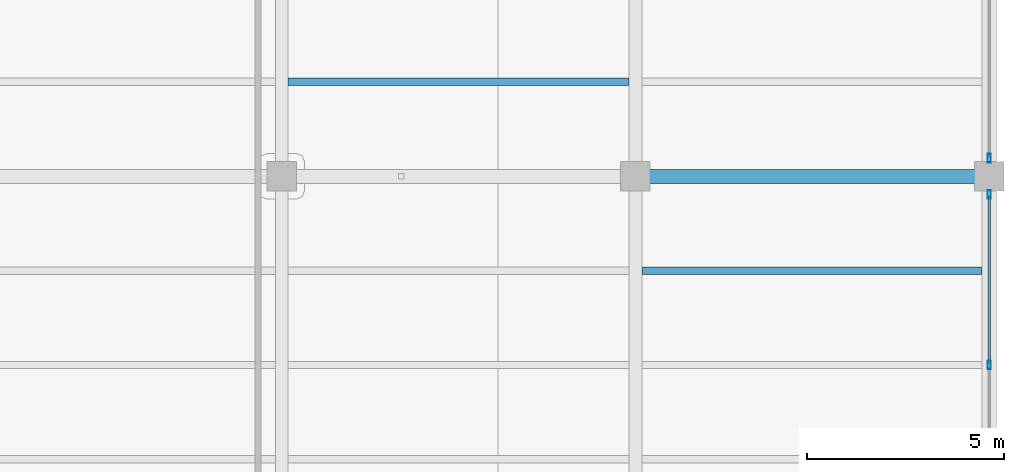
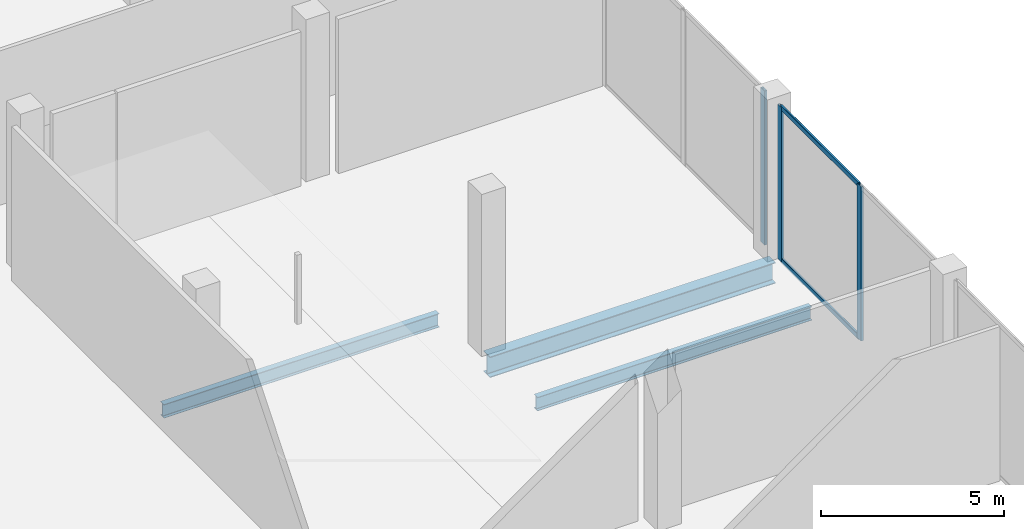
# One storey, part 18 of 47: 5 members, 3 beams, 2 elements without a shape of their own.
"""IFC4 building model written with IfcOpenShell, lengths in metres."""

from ifc_helpers import new_model, si_unit, direction, frame, origin, origin_2d, place, context, subcontext, project, spatial, hollow_rectangle, i_section, extrude, material, layer, layer_set, material_profile, profile_set, type_object, element, aggregate, save


model = new_model("IFC4")

# Units and contexts
model_context = context("Model", 3, precision=1e-05, world=origin(), true_north=direction((0.0, 1.0)))
body_context = subcontext(model_context, "Body", "Model", "MODEL_VIEW")
ifc_project = project(units=[si_unit("LENGTHUNIT", "METRE"), si_unit("AREAUNIT", "SQUARE_METRE"), si_unit("VOLUMEUNIT", "CUBIC_METRE"), si_unit("PLANEANGLEUNIT", "RADIAN"), si_unit("MASSUNIT", "GRAM", prefix="KILO")], contexts=[model_context])

# Site, building, storey
site_placement = place(None, origin())
site = spatial("IfcSite", under=ifc_project, at=site_placement, CompositionType="ELEMENT")
building_placement = place(site_placement, origin())
building = spatial("IfcBuilding", under=site, at=building_placement, Name="Qorvath Tower", CompositionType="ELEMENT")
storey_placement = place(building_placement, frame((0.0, 0.0, 6.60009765625)))
storey = spatial("IfcBuildingStorey", under=building, at=storey_placement, Name="L01", CompositionType="ELEMENT", Elevation=6.60009765625)

# Beams
ifc_material_1 = material(Name="Steel ASTM A992 Grade 50", Category="steel")
ifc_material_profile_1 = material_profile(ifc_material_1, i_section(OverallWidth=0.35595703125, OverallDepth=0.696044921875, WebThickness=0.015380859375, FlangeThickness=0.02490234375, FilletRadius=0.01806640625, at=origin_2d()), Name="W27x146")
ifc_profile_set_1 = profile_set([ifc_material_profile_1], Name="Steel ASTM A992 Grade 50")
beam_type_1 = type_object("IfcBeamType", Name="BM-FG4", PredefinedType="BEAM", material=ifc_profile_set_1)
beam_1_placement = place(storey_placement, frame((68.39990234375, 0.0, -0.60791015625), z_axis=(1.0, 0.0, 0.0), x_axis=(0.0, 1.0, 0.0)))
element("IfcBeam", 1, at=beam_1_placement, inside=storey, type_object=beam_type_1, Name="Library E-W Girder L01-5-5", PredefinedType="BEAM", context=body_context, shape_type="SweptSolid", body=[
    extrude(i_section(OverallWidth=0.35595703125, OverallDepth=0.696044921875, WebThickness=0.015380859375, FlangeThickness=0.02490234375, FilletRadius=0.01806640625, at=origin_2d()), origin(), (0.0, 0.0, 1.0), 9.0),
])
ifc_material_2 = material(Name="Steel ASTM A992 Grade 50", Category="steel")
ifc_material_profile_2 = material_profile(ifc_material_2, i_section(OverallWidth=0.18994140625, OverallDepth=0.45703125, WebThickness=0.009033203125, FlangeThickness=0.014404296875, FilletRadius=0.011962890625, at=origin_2d()), Name="W18x50")
ifc_profile_set_2 = profile_set([ifc_material_profile_2], Name="Steel ASTM A992 Grade 50")
beam_type_2 = type_object("IfcBeamType", Name="BM-FJ2", PredefinedType="JOIST", material=ifc_profile_set_2)
beam_2_placement = place(storey_placement, frame((68.560546875, -2.39990234375, -0.488525390625), z_axis=(1.0, 0.0, 0.0), x_axis=(0.0, 1.0, 0.0)))
element("IfcBeam", 2, at=beam_2_placement, inside=storey, type_object=beam_type_2, Name="Library Stack Joist L01-4.3-5", PredefinedType="JOIST", context=body_context, shape_type="SweptSolid", body=[
    extrude(i_section(OverallWidth=0.18994140625, OverallDepth=0.45703125, WebThickness=0.009033203125, FlangeThickness=0.014404296875, FilletRadius=0.011962890625, at=origin_2d()), origin(), (0.0, 0.0, 1.0), 8.65087890625),
])
beam_3_placement = place(storey_placement, frame((59.560546875, 2.39990234375, -0.488525390625), z_axis=(1.0, 0.0, 0.0), x_axis=(0.0, 1.0, 0.0)))
element("IfcBeam", 3, at=beam_3_placement, inside=storey, type_object=beam_type_2, Name="Library Stack Joist L01-5.1-4", PredefinedType="JOIST", context=body_context, shape_type="SweptSolid", body=[
    extrude(i_section(OverallWidth=0.18994140625, OverallDepth=0.45703125, WebThickness=0.009033203125, FlangeThickness=0.014404296875, FilletRadius=0.011962890625, at=origin_2d()), origin(), (0.0, 0.0, 1.0), 8.678955078125),
])

# Curtain wall, members
ifc_material_3 = material(Name="Anodised aluminium and triple low-E glass", Category="aluminium")
ifc_layer = layer(ifc_material_3, 0.179931640625)
ifc_layer_set = layer_set([ifc_layer], Name="CW-SYS-6")
curtain_wall_type = type_object("IfcCurtainWallType", Name="CW-SYS-6", PredefinedType="NOTDEFINED", material=ifc_layer_set)
curtain_wall_1_placement = place(storey_placement, origin())
curtain_wall_1 = element("IfcCurtainWall", 4, at=curtain_wall_1_placement, inside=storey, type_object=curtain_wall_type, Name="Curtain Wall CW-6 CW-LIB-E-L01-4", PredefinedType="NOTDEFINED")
ifc_material_4 = material(Name="Anodised aluminium 6063-T6", Category="aluminium")
ifc_material_profile_3 = material_profile(ifc_material_4, hollow_rectangle(XDim=0.080078125, YDim=0.219970703125, WallThickness=0.00439453125, InnerFilletRadius=0.00439453125, OuterFilletRadius=0.009033203125, at=origin_2d()), Name="CWM LIB 220x80")
ifc_profile_set_3 = profile_set([ifc_material_profile_3], Name="Anodised aluminium 6063-T6")
member_type_1 = type_object("IfcMemberType", Name="CWM-LIB", PredefinedType="MULLION", material=ifc_profile_set_3)
member_1_placement = place(storey_placement, frame((77.39990234375, -4.7998046875, 0.0), z_axis=(0.0, 0.0, 1.0), x_axis=(-1.0, 0.0, 0.0)))
member_1 = element("IfcMember", 5, at=member_1_placement, type_object=member_type_1, Name="CW-6 mullion 2", PredefinedType="MULLION", context=body_context, shape_type="SweptSolid", body=[
    extrude(hollow_rectangle(XDim=0.080078125, YDim=0.219970703125, WallThickness=0.00439453125, InnerFilletRadius=0.00439453125, OuterFilletRadius=0.009033203125, at=origin_2d()), origin(), (0.0, 0.0, 1.0), 5.139892578125),
])
member_2_placement = place(storey_placement, frame((77.39990234375, -0.4599609375, 0.0), z_axis=(0.0, 0.0, 1.0), x_axis=(-1.0, 0.0, 0.0)))
member_2 = element("IfcMember", 6, at=member_2_placement, type_object=member_type_1, Name="CW-6 mullion 3", PredefinedType="MULLION", context=body_context, shape_type="SweptSolid", body=[
    extrude(hollow_rectangle(XDim=0.080078125, YDim=0.219970703125, WallThickness=0.00439453125, InnerFilletRadius=0.00439453125, OuterFilletRadius=0.009033203125, at=origin_2d()), origin(), (0.0, 0.0, 1.0), 5.139892578125),
])

# Curtain wall, member
curtain_wall_2_placement = place(storey_placement, origin())
curtain_wall_2 = element("IfcCurtainWall", 7, at=curtain_wall_2_placement, inside=storey, type_object=curtain_wall_type, Name="Curtain Wall CW-6 CW-LIB-E-L01-5", PredefinedType="NOTDEFINED")
member_3_placement = place(storey_placement, frame((77.39990234375, 0.4599609375, 0.0), z_axis=(0.0, 0.0, 1.0), x_axis=(-1.0, 0.0, 0.0)))
member_3 = element("IfcMember", 8, at=member_3_placement, type_object=member_type_1, Name="CW-6 mullion 1", PredefinedType="MULLION", context=body_context, shape_type="SweptSolid", body=[
    extrude(hollow_rectangle(XDim=0.080078125, YDim=0.219970703125, WallThickness=0.00439453125, InnerFilletRadius=0.00439453125, OuterFilletRadius=0.009033203125, at=origin_2d()), origin(), (0.0, 0.0, 1.0), 5.139892578125),
])
aggregate(curtain_wall_2, [member_3])

# Member
ifc_material_5 = material(Name="Anodised aluminium 6063-T6", Category="aluminium")
ifc_material_profile_4 = material_profile(ifc_material_5, hollow_rectangle(XDim=0.06494140625, YDim=0.159912109375, WallThickness=0.00341796875, InnerFilletRadius=0.00341796875, OuterFilletRadius=0.007080078125, at=origin_2d()), Name="CWT 160x65")
ifc_profile_set_4 = profile_set([ifc_material_profile_4], Name="Anodised aluminium 6063-T6")
member_type_2 = type_object("IfcMemberType", Name="CWT-160", PredefinedType="USERDEFINED", material=ifc_profile_set_4)
member_4_placement = place(storey_placement, frame((77.39990234375, -4.760009765625, 0.032470703125), z_axis=(0.0, 1.0, 0.0), x_axis=(-1.0, 0.0, 0.0)))
member_4 = element("IfcMember", 9, at=member_4_placement, type_object=member_type_2, Name="CW-6 transom 2.1", ObjectType="TRANSOM", PredefinedType="USERDEFINED", context=body_context, shape_type="SweptSolid", body=[
    extrude(hollow_rectangle(XDim=0.06494140625, YDim=0.159912109375, WallThickness=0.00341796875, InnerFilletRadius=0.00341796875, OuterFilletRadius=0.007080078125, at=origin_2d()), origin(), (0.0, 0.0, 1.0), 4.260009765625),
])

member_5_placement = place(storey_placement, frame((77.39990234375, -4.760009765625, 5.107421875), z_axis=(0.0, 1.0, 0.0), x_axis=(-1.0, 0.0, 0.0)))
member_5 = element("IfcMember", 10, at=member_5_placement, type_object=member_type_2, Name="CW-6 transom 2.2", ObjectType="TRANSOM", PredefinedType="USERDEFINED", context=body_context, shape_type="SweptSolid", body=[
    extrude(hollow_rectangle(XDim=0.06494140625, YDim=0.159912109375, WallThickness=0.00341796875, InnerFilletRadius=0.00341796875, OuterFilletRadius=0.007080078125, at=origin_2d()), origin(), (0.0, 0.0, 1.0), 4.260009765625),
])

aggregate(curtain_wall_1, [member_1, member_2, member_4, member_5])

save(model, "model.ifc")
